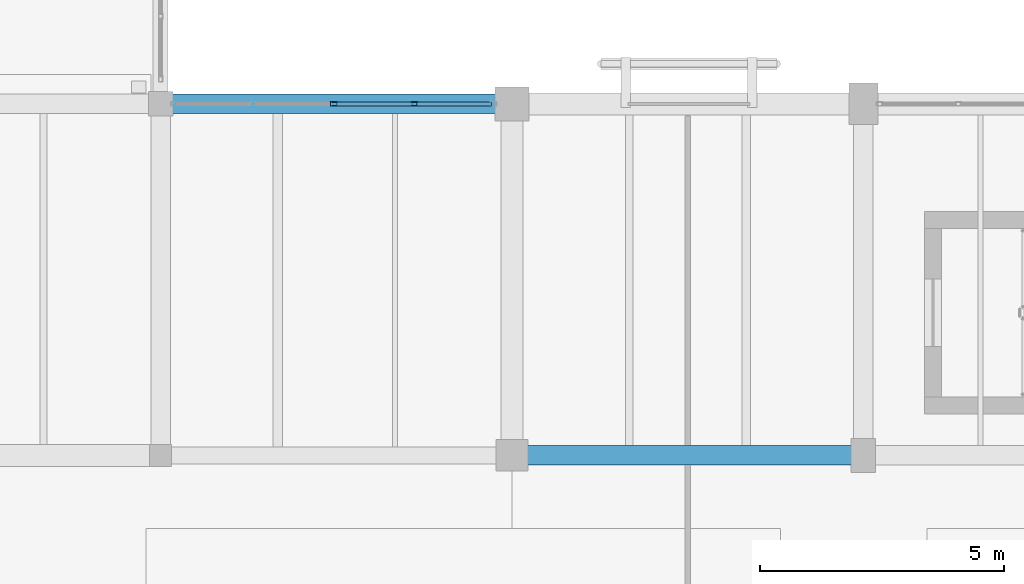
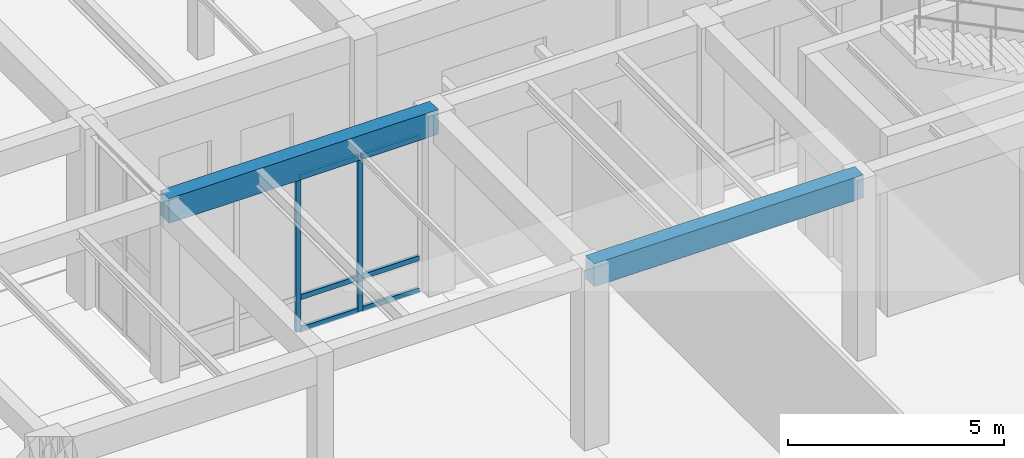
# One storey, part 88 of 169: 8 members, 2 beams, 1 element without a shape of its own.
"""IFC4 building model written with IfcOpenShell, lengths in metres."""

from ifc_helpers import new_model, si_unit, direction, frame, origin, origin_2d, place, context, subcontext, project, spatial, rectangle, hollow_rectangle, extrude, material, layer, layer_set, material_profile, profile_set, type_object, element, aggregate, save


model = new_model("IFC4")

# Units and contexts
model_context = context("Model", 3, precision=1e-05, world=origin(), true_north=direction((0.0, 1.0)))
body_context = subcontext(model_context, "Body", "Model", "MODEL_VIEW")
ifc_project = project(units=[si_unit("LENGTHUNIT", "METRE"), si_unit("AREAUNIT", "SQUARE_METRE"), si_unit("VOLUMEUNIT", "CUBIC_METRE"), si_unit("PLANEANGLEUNIT", "RADIAN"), si_unit("MASSUNIT", "GRAM", prefix="KILO")], contexts=[model_context])

# Site, building, storey
site_placement = place(None, origin())
site = spatial("IfcSite", under=ifc_project, at=site_placement, CompositionType="ELEMENT")
building_placement = place(site_placement, origin())
building = spatial("IfcBuilding", under=site, at=building_placement, Name="Mazaris Harbour Polytechnic", CompositionType="ELEMENT")
storey_placement = place(building_placement, origin())
storey = spatial("IfcBuildingStorey", under=building, at=storey_placement, Name="L00", CompositionType="ELEMENT", Elevation=0.0)

# Curtain wall, members
ifc_material_1 = material(Name="Anodised Bronze Aluminium and Low-E Glass", Category="aluminium")
ifc_layer = layer(ifc_material_1, 0.159912109375, Name="Anodised Bronze Aluminium and Low-E Glass")
ifc_layer_set = layer_set([ifc_layer], Name="Anodised Bronze Aluminium and Low-E Glass")
curtain_wall_type = type_object("IfcCurtainWallType", Name="Cloister Court Curtain Wall", PredefinedType="NOTDEFINED", material=ifc_layer_set)
curtain_wall_placement = place(storey_placement, origin())
curtain_wall = element("IfcCurtainWall", 1, at=curtain_wall_placement, inside=storey, type_object=curtain_wall_type, Name="V2 L00 Curtain Wall 38", PredefinedType="NOTDEFINED")
ifc_material_2 = material(Name="Anodised Bronze Steel S355", Category="steel")
ifc_material_profile_1 = material_profile(ifc_material_2, hollow_rectangle(XDim=0.080078125, YDim=0.139892578125, WallThickness=0.00634765625, at=origin_2d()), Name="RHS 80x140x6.3")
ifc_profile_set_1 = profile_set([ifc_material_profile_1], Name="Anodised Bronze Steel S355")
member_type_1 = type_object("IfcMemberType", Name="Curtain Mullion RHS80x140", PredefinedType="MULLION", material=ifc_profile_set_1)
member_1_placement = place(storey_placement, frame((140.35009765625, 43.199951171875, 0.0), z_axis=(0.0, 0.0, 1.0), x_axis=(0.0, 1.0, 0.0)))
member_1 = element("IfcMember", 2, at=member_1_placement, type_object=member_type_1, Name="CW-02 mullion 3", PredefinedType="MULLION", context=body_context, shape_type="SweptSolid", body=[
    extrude(hollow_rectangle(XDim=0.080078125, YDim=0.139892578125, WallThickness=0.00634765625, at=origin_2d()), origin(), (0.0, 0.0, 1.0), 4.389892578125),
])
member_2_placement = place(storey_placement, frame((142.00390625, 43.199951171875, 0.0), z_axis=(0.0, 0.0, 1.0), x_axis=(0.0, 1.0, 0.0)))
member_2 = element("IfcMember", 3, at=member_2_placement, type_object=member_type_1, Name="CW-02 mullion 4", PredefinedType="MULLION", context=body_context, shape_type="SweptSolid", body=[
    extrude(hollow_rectangle(XDim=0.080078125, YDim=0.139892578125, WallThickness=0.00634765625, at=origin_2d()), origin(), (0.0, 0.0, 1.0), 4.389892578125),
])
ifc_material_3 = material(Name="Anodised Bronze Steel S355", Category="steel")
ifc_material_profile_2 = material_profile(ifc_material_3, hollow_rectangle(XDim=0.080078125, YDim=0.139892578125, WallThickness=0.00634765625, at=origin_2d()), Name="RHS 80x140x6.3")
ifc_profile_set_2 = profile_set([ifc_material_profile_2], Name="Anodised Bronze Steel S355")
member_type_2 = type_object("IfcMemberType", Name="Curtain Transom RHS80x140", PredefinedType="USERDEFINED", material=ifc_profile_set_2)
member_3_placement = place(storey_placement, frame((140.389892578125, 43.199951171875, 0.0400390625), z_axis=(1.0, 0.0, 0.0), x_axis=(0.0, 1.0, 0.0)))
member_3 = element("IfcMember", 4, at=member_3_placement, type_object=member_type_2, Name="CW-02 transom 3.1", ObjectType="TRANSOM", PredefinedType="USERDEFINED", context=body_context, shape_type="SweptSolid", body=[
    extrude(hollow_rectangle(XDim=0.080078125, YDim=0.139892578125, WallThickness=0.00634765625, at=origin_2d()), origin(), (0.0, 0.0, 1.0), 1.57421875),
])
member_4_placement = place(storey_placement, frame((140.389892578125, 43.199951171875, 0.949951171875), z_axis=(1.0, 0.0, 0.0), x_axis=(0.0, 1.0, 0.0)))
member_4 = element("IfcMember", 5, at=member_4_placement, type_object=member_type_2, Name="CW-02 transom 3.2", ObjectType="TRANSOM", PredefinedType="USERDEFINED", context=body_context, shape_type="SweptSolid", body=[
    extrude(hollow_rectangle(XDim=0.080078125, YDim=0.139892578125, WallThickness=0.00634765625, at=origin_2d()), origin(), (0.0, 0.0, 1.0), 1.57421875),
])
member_5_placement = place(storey_placement, frame((140.389892578125, 43.199951171875, 4.35009765625), z_axis=(1.0, 0.0, 0.0), x_axis=(0.0, 1.0, 0.0)))
member_5 = element("IfcMember", 6, at=member_5_placement, type_object=member_type_2, Name="CW-02 transom 3.3", ObjectType="TRANSOM", PredefinedType="USERDEFINED", context=body_context, shape_type="SweptSolid", body=[
    extrude(hollow_rectangle(XDim=0.080078125, YDim=0.139892578125, WallThickness=0.00634765625, at=origin_2d()), origin(), (0.0, 0.0, 1.0), 1.57421875),
])
member_6_placement = place(storey_placement, frame((142.0439453125, 43.199951171875, 0.0400390625), z_axis=(1.0, 0.0, 0.0), x_axis=(0.0, 1.0, 0.0)))
member_6 = element("IfcMember", 7, at=member_6_placement, type_object=member_type_2, Name="CW-02 transom 4.1", ObjectType="TRANSOM", PredefinedType="USERDEFINED", context=body_context, shape_type="SweptSolid", body=[
    extrude(hollow_rectangle(XDim=0.080078125, YDim=0.139892578125, WallThickness=0.00634765625, at=origin_2d()), origin(), (0.0, 0.0, 1.0), 1.533935546875),
])
member_7_placement = place(storey_placement, frame((142.0439453125, 43.199951171875, 0.949951171875), z_axis=(1.0, 0.0, 0.0), x_axis=(0.0, 1.0, 0.0)))
member_7 = element("IfcMember", 8, at=member_7_placement, type_object=member_type_2, Name="CW-02 transom 4.2", ObjectType="TRANSOM", PredefinedType="USERDEFINED", context=body_context, shape_type="SweptSolid", body=[
    extrude(hollow_rectangle(XDim=0.080078125, YDim=0.139892578125, WallThickness=0.00634765625, at=origin_2d()), origin(), (0.0, 0.0, 1.0), 1.533935546875),
])
member_8_placement = place(storey_placement, frame((142.0439453125, 43.199951171875, 4.35009765625), z_axis=(1.0, 0.0, 0.0), x_axis=(0.0, 1.0, 0.0)))
member_8 = element("IfcMember", 9, at=member_8_placement, type_object=member_type_2, Name="CW-02 transom 4.3", ObjectType="TRANSOM", PredefinedType="USERDEFINED", context=body_context, shape_type="SweptSolid", body=[
    extrude(hollow_rectangle(XDim=0.080078125, YDim=0.139892578125, WallThickness=0.00634765625, at=origin_2d()), origin(), (0.0, 0.0, 1.0), 1.533935546875),
])
aggregate(curtain_wall, [member_1, member_2, member_3, member_4, member_5, member_6, member_7, member_8])

# Beams
ifc_material_4 = material(Name="Concrete C35/45", Category="concrete")
ifc_material_profile_3 = material_profile(ifc_material_4, rectangle(XDim=0.39990234375, YDim=0.64990234375, at=origin_2d()), Name="RECT400x650")
ifc_profile_set_3 = profile_set([ifc_material_profile_3], Name="Concrete C35/45")
beam_type_1 = type_object("IfcBeamType", Name="RC Girder 400x650", PredefinedType="BEAM", material=ifc_profile_set_3)
beam_1_placement = place(storey_placement, frame((144.0, 36.0, 4.77490234375), z_axis=(1.0, 0.0, 0.0), x_axis=(0.0, 1.0, 0.0)))
element("IfcBeam", 10, at=beam_1_placement, inside=storey, type_object=beam_type_1, Name="V2 L00 Girder 441", PredefinedType="BEAM", context=body_context, shape_type="SweptSolid", body=[
    extrude(rectangle(XDim=0.39990234375, YDim=0.64990234375, at=origin_2d()), origin(), (0.0, 0.0, 1.0), 7.199951171875),
])
ifc_material_5 = material(Name="Concrete C35/45", Category="concrete")
ifc_material_profile_4 = material_profile(ifc_material_5, rectangle(XDim=0.39990234375, YDim=0.699951171875, at=origin_2d()), Name="RECT400x700")
ifc_profile_set_4 = profile_set([ifc_material_profile_4], Name="Concrete C35/45")
beam_type_2 = type_object("IfcBeamType", Name="RC Girder 400x700 Exterior", PredefinedType="BEAM", material=ifc_profile_set_4)
beam_2_placement = place(storey_placement, frame((136.800048828125, 43.199951171875, 4.75), z_axis=(1.0, 0.0, 0.0), x_axis=(0.0, 1.0, 0.0)))
element("IfcBeam", 11, at=beam_2_placement, inside=storey, type_object=beam_type_2, Name="V2 L00 Girder 447", PredefinedType="BEAM", context=body_context, shape_type="SweptSolid", body=[
    extrude(rectangle(XDim=0.39990234375, YDim=0.699951171875, at=origin_2d()), origin(), (0.0, 0.0, 1.0), 7.199951171875),
])

save(model, "model.ifc")
